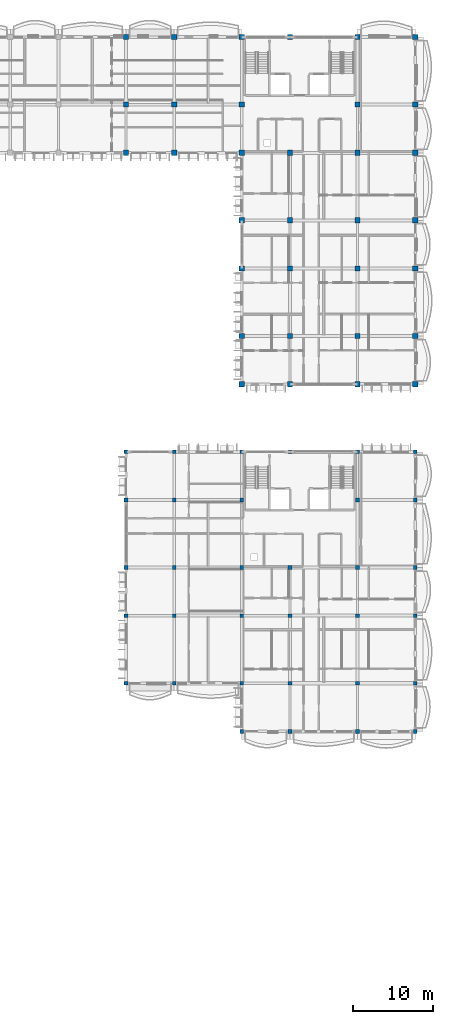
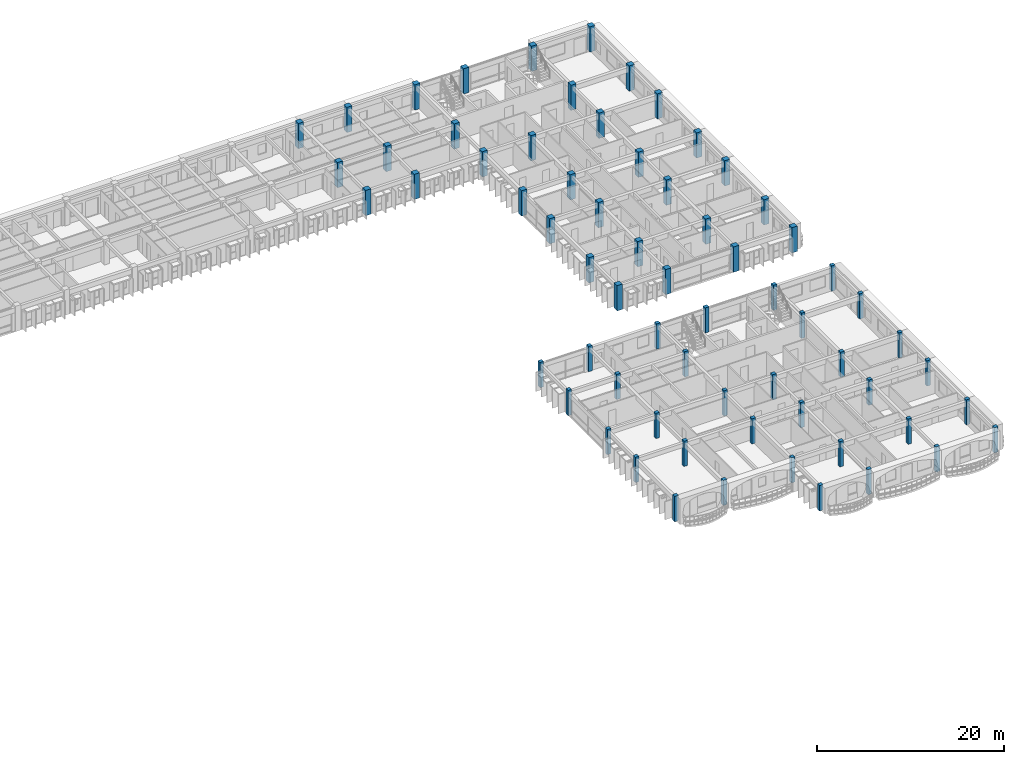
# One storey, part 2 of 76: 66 columns.
"""IFC4 building model written with IfcOpenShell, lengths in metres."""

from ifc_helpers import new_model, si_unit, direction, frame, origin, origin_2d, place, context, subcontext, project, spatial, rectangle, extrude, material, material_profile, profile_set, type_object, element, save


model = new_model("IFC4")

# Units and contexts
model_context = context("Model", 3, precision=1e-05, world=origin(), true_north=direction((0.0, 1.0)))
body_context = subcontext(model_context, "Body", "Model", "MODEL_VIEW")
ifc_project = project(units=[si_unit("LENGTHUNIT", "METRE"), si_unit("AREAUNIT", "SQUARE_METRE"), si_unit("VOLUMEUNIT", "CUBIC_METRE"), si_unit("PLANEANGLEUNIT", "RADIAN"), si_unit("MASSUNIT", "GRAM", prefix="KILO"), si_unit("THERMODYNAMICTEMPERATUREUNIT", "KELVIN")], contexts=[model_context])

# Site, building, storey
site_placement = place(None, origin())
site = spatial("IfcSite", under=ifc_project, at=site_placement, CompositionType="ELEMENT")
building_placement = place(site_placement, origin())
building = spatial("IfcBuilding", under=site, at=building_placement, Name="Thalorik Housing Commons", CompositionType="ELEMENT")
storey_placement = place(building_placement, frame((0.0, 0.0, 18.0)))
storey = spatial("IfcBuildingStorey", under=building, at=storey_placement, Name="L05", CompositionType="ELEMENT", Elevation=18.0)

# Columns
ifc_material = material(Name="Precast concrete C40/50", Category="concrete")
ifc_material_profile_1 = material_profile(ifc_material, rectangle(XDim=0.449951171875, YDim=0.449951171875, at=origin_2d()), Name="PC 450x450", Category="concrete")
ifc_profile_set_1 = profile_set([ifc_material_profile_1], Name="Precast concrete C40/50")
column_type_1 = type_object("IfcColumnType", Name="STR-COL-PC450", PredefinedType="COLUMN", material=ifc_profile_set_1)
for number, where, z_axis, x_axis, name in (
    (1, (138.0, 43.199951171875, 0.0), (0.0, 0.0, 1.0), (1.0, 0.0, 0.0), "L05 Column C-450"),
    (2, (138.0, 51.60009765625, 0.0), (0.0, 0.0, 1.0), (1.0, 0.0, 0.0), "L05 Column C-450"),
    (3, (138.0, 57.60009765625, 0.0), (0.0, 0.0, 1.0), (1.0, 0.0, 0.0), "L05 Column C-450"),
    (4, (138.0, 66.0, 0.0), (0.0, 0.0, 1.0), (1.0, 0.0, 0.0), "L05 Column C-450"),
    (5, (138.0, 72.0, 0.0), (0.0, 0.0, 1.0), (1.0, 0.0, 0.0), "L05 Column C-450"),
    (6, (144.0, 43.199951171875, 0.0), (0.0, 0.0, 1.0), (1.0, 0.0, 0.0), "L05 Column C-450"),
    (7, (144.0, 51.60009765625, 0.0), (0.0, 0.0, 1.0), (1.0, 0.0, 0.0), "L05 Column C-450"),
    (8, (144.0, 57.60009765625, 0.0), (0.0, 0.0, 1.0), (1.0, 0.0, 0.0), "L05 Column C-450"),
    (9, (144.0, 66.0, 0.0), (0.0, 0.0, 1.0), (1.0, 0.0, 0.0), "L05 Column C-450"),
    (10, (144.0, 72.0, 0.0), (0.0, 0.0, 1.0), (1.0, 0.0, 0.0), "L05 Column C-450"),
    (11, (152.39990234375, 37.199951171875, 0.0), (0.0, 0.0, 1.0), (1.0, 0.0, 0.0), "L05 Column C-450"),
    (12, (152.39990234375, 43.199951171875, 0.0), (0.0, 0.0, 1.0), (1.0, 0.0, 0.0), "L05 Column C-450"),
    (13, (152.39990234375, 51.60009765625, 0.0), (0.0, 0.0, 1.0), (1.0, 0.0, 0.0), "L05 Column C-450"),
    (14, (152.39990234375, 57.60009765625, 0.0), (0.0, 0.0, 1.0), (1.0, 0.0, 0.0), "L05 Column C-450"),
    (15, (152.39990234375, 66.0, 0.0), (0.0, 0.0, 1.0), (1.0, 0.0, 0.0), "L05 Column C-450"),
    (16, (152.39990234375, 72.0, 0.0), (0.0, 0.0, 1.0), (1.0, 0.0, 0.0), "L05 Column C-450"),
    (17, (158.39990234375, 37.199951171875, 0.0), (0.0, 0.0, 1.0), (1.0, 0.0, 0.0), "L05 Column C-450"),
    (18, (158.39990234375, 43.199951171875, 0.0), (0.0, 0.0, 1.0), (1.0, 0.0, 0.0), "L05 Column C-450"),
    (19, (158.39990234375, 51.60009765625, 0.0), (0.0, 0.0, 1.0), (1.0, 0.0, 0.0), "L05 Column C-450"),
    (20, (158.39990234375, 57.60009765625, 0.0), (0.0, 0.0, 1.0), (1.0, 0.0, 0.0), "L05 Column C-450"),
    (21, (158.39990234375, 72.0, 0.0), (0.0, 0.0, 1.0), (1.0, 0.0, 0.0), "L05 Column C-450"),
    (22, (166.800048828125, 37.199951171875, 0.0), (0.0, 0.0, 1.0), (1.0, 0.0, 0.0), "L05 Column C-450"),
    (23, (166.800048828125, 43.199951171875, 0.0), (0.0, 0.0, 1.0), (1.0, 0.0, 0.0), "L05 Column C-450"),
    (24, (166.800048828125, 51.60009765625, 0.0), (0.0, 0.0, 1.0), (1.0, 0.0, 0.0), "L05 Column C-450"),
    (25, (166.800048828125, 57.60009765625, 0.0), (0.0, 0.0, 1.0), (1.0, 0.0, 0.0), "L05 Column C-450"),
    (26, (166.800048828125, 66.0, 0.0), (0.0, 0.0, 1.0), (1.0, 0.0, 0.0), "L05 Column C-450"),
    (27, (166.800048828125, 72.0, 0.0), (0.0, 0.0, 1.0), (1.0, 0.0, 0.0), "L05 Column C-450"),
    (28, (174.0, 37.199951171875, 0.0), (0.0, 0.0, 1.0), (1.0, 0.0, 0.0), "L05 Column C-450"),
    (29, (174.0, 43.199951171875, 0.0), (0.0, 0.0, 1.0), (1.0, 0.0, 0.0), "L05 Column C-450"),
    (30, (174.0, 51.60009765625, 0.0), (0.0, 0.0, 1.0), (1.0, 0.0, 0.0), "L05 Column C-450"),
    (31, (174.0, 57.60009765625, 0.0), (0.0, 0.0, 1.0), (1.0, 0.0, 0.0), "L05 Column C-450"),
    (32, (174.0, 66.0, 0.0), (0.0, 0.0, 1.0), (1.0, 0.0, 0.0), "L05 Column C-450"),
    (33, (174.0, 72.0, 0.0), (0.0, 0.0, 1.0), (1.0, 0.0, 0.0), "L05 Column C-450"),
):
    element("IfcColumn", number, at=place(storey_placement, frame(where, z_axis=z_axis, x_axis=x_axis)), inside=storey, type_object=column_type_1, Name=name, PredefinedType="COLUMN", context=body_context, shape_type="SweptSolid", body=[
        extrude(rectangle(XDim=0.449951171875, YDim=0.449951171875, at=origin_2d()), origin(), (0.0, 0.0, 1.0), 3.300048828125),
    ])
ifc_material_profile_2 = material_profile(ifc_material, rectangle(XDim=0.64990234375, YDim=0.64990234375, at=origin_2d()), Name="PC 650x650", Category="concrete")
ifc_profile_set_2 = profile_set([ifc_material_profile_2], Name="Precast concrete C40/50")
column_type_2 = type_object("IfcColumnType", Name="STR-COL-PC650", PredefinedType="COLUMN", material=ifc_profile_set_2)
for number, where, z_axis, x_axis, name in (
    (34, (138.0, 109.199951171875, 0.0), (0.0, 0.0, 1.0), (1.0, 0.0, 0.0), "L05 Column C-650"),
    (35, (138.0, 115.199951171875, 0.0), (0.0, 0.0, 1.0), (1.0, 0.0, 0.0), "L05 Column C-650"),
    (36, (138.0, 123.60009765625, 0.0), (0.0, 0.0, 1.0), (1.0, 0.0, 0.0), "L05 Column C-650"),
    (37, (144.0, 109.199951171875, 0.0), (0.0, 0.0, 1.0), (1.0, 0.0, 0.0), "L05 Column C-650"),
    (38, (144.0, 115.199951171875, 0.0), (0.0, 0.0, 1.0), (1.0, 0.0, 0.0), "L05 Column C-650"),
    (39, (144.0, 123.60009765625, 0.0), (0.0, 0.0, 1.0), (1.0, 0.0, 0.0), "L05 Column C-650"),
    (40, (152.39990234375, 80.39990234375, 0.0), (0.0, 0.0, 1.0), (1.0, 0.0, 0.0), "L05 Column C-650"),
    (41, (152.39990234375, 86.39990234375, 0.0), (0.0, 0.0, 1.0), (1.0, 0.0, 0.0), "L05 Column C-650"),
    (42, (152.39990234375, 94.800048828125, 0.0), (0.0, 0.0, 1.0), (1.0, 0.0, 0.0), "L05 Column C-650"),
    (43, (152.39990234375, 100.800048828125, 0.0), (0.0, 0.0, 1.0), (1.0, 0.0, 0.0), "L05 Column C-650"),
    (44, (152.39990234375, 109.199951171875, 0.0), (0.0, 0.0, 1.0), (1.0, 0.0, 0.0), "L05 Column C-650"),
    (45, (152.39990234375, 115.199951171875, 0.0), (0.0, 0.0, 1.0), (1.0, 0.0, 0.0), "L05 Column C-650"),
    (46, (152.39990234375, 123.60009765625, 0.0), (0.0, 0.0, 1.0), (1.0, 0.0, 0.0), "L05 Column C-650"),
    (47, (158.39990234375, 80.39990234375, 0.0), (0.0, 0.0, 1.0), (1.0, 0.0, 0.0), "L05 Column C-650"),
    (48, (158.39990234375, 86.39990234375, 0.0), (0.0, 0.0, 1.0), (1.0, 0.0, 0.0), "L05 Column C-650"),
    (49, (158.39990234375, 94.800048828125, 0.0), (0.0, 0.0, 1.0), (1.0, 0.0, 0.0), "L05 Column C-650"),
    (50, (158.39990234375, 100.800048828125, 0.0), (0.0, 0.0, 1.0), (1.0, 0.0, 0.0), "L05 Column C-650"),
    (51, (158.39990234375, 109.199951171875, 0.0), (0.0, 0.0, 1.0), (1.0, 0.0, 0.0), "L05 Column C-650"),
    (52, (158.39990234375, 123.60009765625, 0.0), (0.0, 0.0, 1.0), (1.0, 0.0, 0.0), "L05 Column C-650"),
    (53, (166.800048828125, 80.39990234375, 0.0), (0.0, 0.0, 1.0), (1.0, 0.0, 0.0), "L05 Column C-650"),
    (54, (166.800048828125, 86.39990234375, 0.0), (0.0, 0.0, 1.0), (1.0, 0.0, 0.0), "L05 Column C-650"),
    (55, (166.800048828125, 94.800048828125, 0.0), (0.0, 0.0, 1.0), (1.0, 0.0, 0.0), "L05 Column C-650"),
    (56, (166.800048828125, 100.800048828125, 0.0), (0.0, 0.0, 1.0), (1.0, 0.0, 0.0), "L05 Column C-650"),
    (57, (166.800048828125, 109.199951171875, 0.0), (0.0, 0.0, 1.0), (1.0, 0.0, 0.0), "L05 Column C-650"),
    (58, (166.800048828125, 115.199951171875, 0.0), (0.0, 0.0, 1.0), (1.0, 0.0, 0.0), "L05 Column C-650"),
    (59, (166.800048828125, 123.60009765625, 0.0), (0.0, 0.0, 1.0), (1.0, 0.0, 0.0), "L05 Column C-650"),
    (60, (174.0, 80.39990234375, 0.0), (0.0, 0.0, 1.0), (1.0, 0.0, 0.0), "L05 Column C-650"),
    (61, (174.0, 86.39990234375, 0.0), (0.0, 0.0, 1.0), (1.0, 0.0, 0.0), "L05 Column C-650"),
    (62, (174.0, 94.800048828125, 0.0), (0.0, 0.0, 1.0), (1.0, 0.0, 0.0), "L05 Column C-650"),
    (63, (174.0, 100.800048828125, 0.0), (0.0, 0.0, 1.0), (1.0, 0.0, 0.0), "L05 Column C-650"),
    (64, (174.0, 109.199951171875, 0.0), (0.0, 0.0, 1.0), (1.0, 0.0, 0.0), "L05 Column C-650"),
    (65, (174.0, 115.199951171875, 0.0), (0.0, 0.0, 1.0), (1.0, 0.0, 0.0), "L05 Column C-650"),
    (66, (174.0, 123.60009765625, 0.0), (0.0, 0.0, 1.0), (1.0, 0.0, 0.0), "L05 Column C-650"),
):
    element("IfcColumn", number, at=place(storey_placement, frame(where, z_axis=z_axis, x_axis=x_axis)), inside=storey, type_object=column_type_2, Name=name, PredefinedType="COLUMN", context=body_context, shape_type="SweptSolid", body=[
        extrude(rectangle(XDim=0.64990234375, YDim=0.64990234375, at=origin_2d()), origin(), (0.0, 0.0, 1.0), 3.300048828125),
    ])

save(model, "model.ifc")
